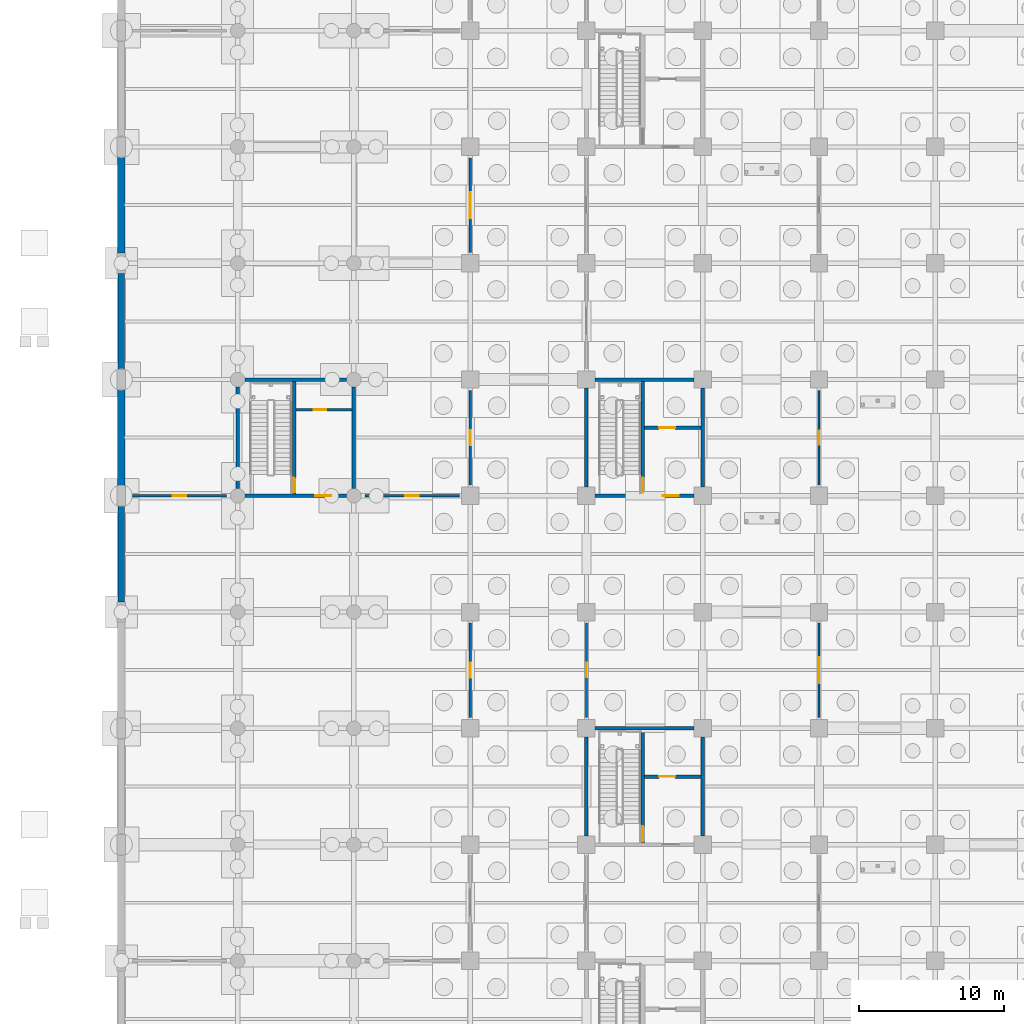
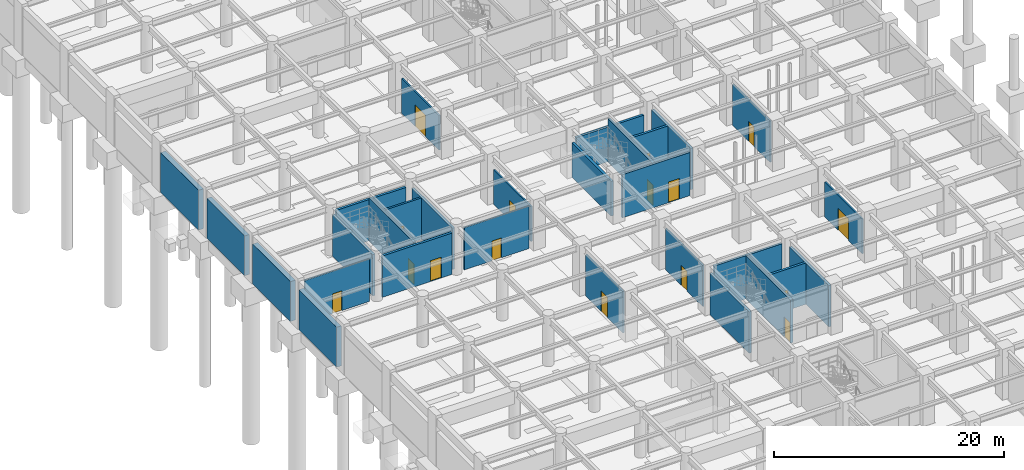
# One storey, part 71 of 97: 29 walls, 16 doors, 16 openings.
"""IFC4 building model written with IfcOpenShell, lengths in metres."""

from ifc_helpers import new_model, si_unit, direction, frame, frame_2d, origin, place, context, subcontext, project, spatial, rectangle, extrude, material, layer, layer_set, type_object, element, fill, save


model = new_model("IFC4")

# Units and contexts
model_context = context("Model", 3, precision=1e-05, world=origin(), true_north=direction((0.0, 1.0)))
body_context = subcontext(model_context, "Body", "Model", "MODEL_VIEW")
ifc_project = project(units=[si_unit("LENGTHUNIT", "METRE"), si_unit("AREAUNIT", "SQUARE_METRE"), si_unit("VOLUMEUNIT", "CUBIC_METRE"), si_unit("PLANEANGLEUNIT", "RADIAN"), si_unit("MASSUNIT", "GRAM", prefix="KILO")], contexts=[model_context])

# Site, building, storey
site_placement = place(None, origin())
site = spatial("IfcSite", under=ifc_project, at=site_placement, CompositionType="ELEMENT")
building_placement = place(site_placement, origin())
building = spatial("IfcBuilding", under=site, at=building_placement, Name="Haebicheon Civic Stadium", CompositionType="ELEMENT")
storey_placement = place(building_placement, frame((0.0, 0.0, -5.39990234375)))
storey = spatial("IfcBuildingStorey", under=building, at=storey_placement, Name="B1", CompositionType="ELEMENT", Elevation=-5.39990234375)

# Walls
ifc_material_1 = material(Name="Concrete C40/50", Category="concrete")
ifc_layer_1 = layer(ifc_material_1, 0.239990234375, Name="Concrete C40/50")
ifc_layer_set_1 = layer_set([ifc_layer_1], Name="Concrete C40/50")
wall_type_1 = type_object("IfcWallType", Name="CW-SHR-240", PredefinedType="SHEAR", material=ifc_layer_set_1)
wall_1_placement = place(storey_placement, frame((32.60009765625, 64.0, 0.0), z_axis=(0.0, 0.0, 1.0), x_axis=(1.0, 0.0, 0.0)))
element("IfcWall", 1, at=wall_1_placement, inside=storey, type_object=wall_type_1, material=ifc_layer_set_1, Name="KC-02 B1 north core shear wall", PredefinedType="SHEAR", context=body_context, shape_type="SweptSolid", body=[
    extrude(rectangle(XDim=6.7998046875, YDim=0.239990234375, at=frame_2d((3.39990234375, 0.0))), origin(), (0.0, 0.0, 1.0), 4.58984375),
])
for number, where, z_axis, x_axis, name in (
    (2, (32.0, 56.60009765625, 0.0), (0.0, 0.0, 1.0), (0.0, 1.0, 0.0), "KC-02 B1 west core shear wall"),
    (3, (40.0, 56.60009765625, 0.0), (0.0, 0.0, 1.0), (0.0, 1.0, 0.0), "KC-02 B1 east core shear wall"),
):
    element("IfcWall", number, at=place(storey_placement, frame(where, z_axis=z_axis, x_axis=x_axis)), inside=storey, type_object=wall_type_1, material=ifc_layer_set_1, Name=name, PredefinedType="SHEAR", context=body_context, shape_type="SweptSolid", body=[
        extrude(rectangle(XDim=6.7998046875, YDim=0.239990234375, at=frame_2d((3.39990234375, 0.0))), origin(), (0.0, 0.0, 1.0), 4.389892578125),
    ])

# Wall, opening, door
wall_2_placement = place(storey_placement, frame((35.8798828125, 56.1201171875, 0.0), z_axis=(0.0, 0.0, 1.0), x_axis=(0.0, 1.0, 0.0)))
wall_2 = element("IfcWall", 4, at=wall_2_placement, inside=storey, type_object=wall_type_1, material=ifc_layer_set_1, Name="KC-02 B1 stair-lobby dividing shear wall", PredefinedType="SHEAR", context=body_context, shape_type="SweptSolid", body=[
    extrude(rectangle(XDim=7.759765625, YDim=0.239990234375, at=frame_2d((3.8798828125, 0.0))), origin(), (0.0, 0.0, 1.0), 4.58984375),
])
opening_1_placement = place(wall_2_placement, frame((0.080078125, 0.0, 0.0)))
opening_1 = element("IfcOpeningElement", 5, at=opening_1_placement, cuts=wall_2, Name="Opening D-B1-KC-02-STR", PredefinedType="OPENING", context=body_context, shape_type="SweptSolid", body=[
    extrude(rectangle(XDim=1.050048828125, YDim=2.14990234375, at=frame_2d((0.52490234375, 1.074951171875))), frame((0.0, 0.1298828125, 0.0), z_axis=(0.0, -1.0, 0.0), x_axis=(1.0, 0.0, 0.0)), (0.0, 0.0, 1.0), 0.260009765625),
])
ifc_material_2 = material(Name="Galvanised painted steel SM355", Category="steel")
door_type_1 = type_object("IfcDoorType", Name="ID-FD-1050", OperationType="NOTDEFINED", PredefinedType="DOOR", material=ifc_material_2)
door_1_placement = place(opening_1_placement, origin())
door_1 = element("IfcDoor", 6, at=door_1_placement, inside=storey, type_object=door_type_1, material=ifc_material_2, Name="B1 ST-02 stairwell escape door", OperationType="SINGLE_SWING_RIGHT", OverallHeight=2.14990234375, OverallWidth=1.050048828125, PredefinedType="DOOR", context=body_context, shape_type="SweptSolid", body=[
    extrude(rectangle(XDim=1.050048828125, YDim=2.14990234375, at=frame_2d((0.52490234375, 1.074951171875))), frame((0.0, 0.02490234375, 0.0), z_axis=(0.0, -1.0, 0.0), x_axis=(1.0, 0.0, 0.0)), (0.0, 0.0, 1.0), 0.050048828125),
])
fill(opening_1, door_1)

wall_3_placement = place(storey_placement, frame((36.0, 60.679931640625, 0.0), z_axis=(0.0, 0.0, 1.0), x_axis=(1.0, 0.0, 0.0)))
wall_3 = element("IfcWall", 7, at=wall_3_placement, inside=storey, type_object=wall_type_1, material=ifc_layer_set_1, Name="KC-02 B1 lift shaft front wall", PredefinedType="SHEAR", context=body_context, shape_type="SweptSolid", body=[
    extrude(rectangle(XDim=3.8798828125, YDim=0.239990234375, at=frame_2d((1.93994140625, 0.0))), origin(), (0.0, 0.0, 1.0), 4.389892578125),
])
opening_2_placement = place(wall_3_placement, frame((1.0, 0.0, 0.0)))
opening_2 = element("IfcOpeningElement", 8, at=opening_2_placement, cuts=wall_3, Name="Opening LD-02-B1", PredefinedType="OPENING", context=body_context, shape_type="SweptSolid", body=[
    extrude(rectangle(XDim=1.10009765625, YDim=2.14990234375, at=frame_2d((0.550048828125, 1.074951171875))), frame((0.0, 0.1298828125, 0.0), z_axis=(0.0, -1.0, 0.0), x_axis=(1.0, 0.0, 0.0)), (0.0, 0.0, 1.0), 0.260009765625),
])
ifc_material_3 = material(Name="Stainless steel 316", Category="steel")
door_type_2 = type_object("IfcDoorType", Name="ID-LD-1100", OperationType="NOTDEFINED", PredefinedType="DOOR", material=ifc_material_3)
door_2_placement = place(opening_2_placement, origin())
door_2 = element("IfcDoor", 9, at=door_2_placement, inside=storey, type_object=door_type_2, material=ifc_material_3, Name="LF-02 lift landing sliding door B1", OperationType="SLIDING_TO_LEFT", OverallHeight=2.14990234375, OverallWidth=1.10009765625, PredefinedType="DOOR", context=body_context, shape_type="SweptSolid", body=[
    extrude(rectangle(XDim=1.10009765625, YDim=2.14990234375, at=frame_2d((0.550048828125, 1.074951171875))), frame((0.0, 0.02490234375, 0.0), z_axis=(0.0, -1.0, 0.0), x_axis=(1.0, 0.0, 0.0)), (0.0, 0.0, 1.0), 0.050048828125),
])
fill(opening_2, door_2)

wall_4_placement = place(storey_placement, frame((32.60009765625, 80.0, 0.0), z_axis=(0.0, 0.0, 1.0), x_axis=(1.0, 0.0, 0.0)))
wall_4 = element("IfcWall", 10, at=wall_4_placement, inside=storey, type_object=wall_type_1, material=ifc_layer_set_1, Name="KC-03 B1 south core shear wall", PredefinedType="SHEAR", context=body_context, shape_type="SweptSolid", body=[
    extrude(rectangle(XDim=6.7998046875, YDim=0.239990234375, at=frame_2d((3.39990234375, 0.0))), origin(), (0.0, 0.0, 1.0), 4.58984375),
])
opening_3_placement = place(wall_4_placement, frame((4.64990234375, 0.0, 0.0)))
opening_3 = element("IfcOpeningElement", 11, at=opening_3_placement, cuts=wall_4, Name="Opening D-B1-KC-03-LOB", PredefinedType="OPENING", context=body_context, shape_type="SweptSolid", body=[
    extrude(rectangle(XDim=1.10009765625, YDim=2.199951171875, at=frame_2d((0.550048828125, 1.10009765625))), frame((0.0, 0.1298828125, 0.0), z_axis=(0.0, -1.0, 0.0), x_axis=(1.0, 0.0, 0.0)), (0.0, 0.0, 1.0), 0.260009765625),
])
ifc_material_4 = material(Name="Galvanised painted steel SM355", Category="steel")
door_type_3 = type_object("IfcDoorType", Name="ID-FD-1100", OperationType="NOTDEFINED", PredefinedType="DOOR", material=ifc_material_4)
door_3_placement = place(opening_3_placement, origin())
door_3 = element("IfcDoor", 12, at=door_3_placement, inside=storey, type_object=door_type_3, material=ifc_material_4, Name="B1 KC-03 lobby fire door", OperationType="SINGLE_SWING_RIGHT", OverallHeight=2.199951171875, OverallWidth=1.10009765625, PredefinedType="DOOR", context=body_context, shape_type="SweptSolid", body=[
    extrude(rectangle(XDim=1.10009765625, YDim=2.199951171875, at=frame_2d((0.550048828125, 1.10009765625))), frame((0.0, 0.02490234375, 0.0), z_axis=(0.0, -1.0, 0.0), x_axis=(1.0, 0.0, 0.0)), (0.0, 0.0, 1.0), 0.050048828125),
])
fill(opening_3, door_3)

# Walls
for number, where, z_axis, x_axis, name in (
    (13, (32.60009765625, 88.0, 0.0), (0.0, 0.0, 1.0), (1.0, 0.0, 0.0), "KC-03 B1 north core shear wall"),
    (14, (32.0, 80.60009765625, 0.0), (0.0, 0.0, 1.0), (0.0, 1.0, 0.0), "KC-03 B1 west core shear wall"),
):
    element("IfcWall", number, at=place(storey_placement, frame(where, z_axis=z_axis, x_axis=x_axis)), inside=storey, type_object=wall_type_1, material=ifc_layer_set_1, Name=name, PredefinedType="SHEAR", context=body_context, shape_type="SweptSolid", body=[
        extrude(rectangle(XDim=6.7998046875, YDim=0.239990234375, at=frame_2d((3.39990234375, 0.0))), origin(), (0.0, 0.0, 1.0), 3.68994140625),
    ])
wall_5_placement = place(storey_placement, frame((40.0, 80.60009765625, 0.0), z_axis=(0.0, 0.0, 1.0), x_axis=(0.0, 1.0, 0.0)))
element("IfcWall", 15, at=wall_5_placement, inside=storey, type_object=wall_type_1, material=ifc_layer_set_1, Name="KC-03 B1 east core shear wall", PredefinedType="SHEAR", context=body_context, shape_type="SweptSolid", body=[
    extrude(rectangle(XDim=6.7998046875, YDim=0.239990234375, at=frame_2d((3.39990234375, 0.0))), origin(), (0.0, 0.0, 1.0), 4.389892578125),
])

# Wall, opening, door
wall_6_placement = place(storey_placement, frame((35.8798828125, 80.1201171875, 0.0), z_axis=(0.0, 0.0, 1.0), x_axis=(0.0, 1.0, 0.0)))
wall_6 = element("IfcWall", 16, at=wall_6_placement, inside=storey, type_object=wall_type_1, material=ifc_layer_set_1, Name="KC-03 B1 stair-lobby dividing shear wall", PredefinedType="SHEAR", context=body_context, shape_type="SweptSolid", body=[
    extrude(rectangle(XDim=7.759765625, YDim=0.239990234375, at=frame_2d((3.8798828125, 0.0))), origin(), (0.0, 0.0, 1.0), 4.58984375),
])
opening_4_placement = place(wall_6_placement, frame((0.080078125, 0.0, 0.0)))
opening_4 = element("IfcOpeningElement", 17, at=opening_4_placement, cuts=wall_6, Name="Opening D-B1-KC-03-STR", PredefinedType="OPENING", context=body_context, shape_type="SweptSolid", body=[
    extrude(rectangle(XDim=1.050048828125, YDim=2.14990234375, at=frame_2d((0.52490234375, 1.074951171875))), frame((0.0, 0.1298828125, 0.0), z_axis=(0.0, -1.0, 0.0), x_axis=(1.0, 0.0, 0.0)), (0.0, 0.0, 1.0), 0.260009765625),
])
door_4_placement = place(opening_4_placement, origin())
door_4 = element("IfcDoor", 18, at=door_4_placement, inside=storey, type_object=door_type_1, material=ifc_material_2, Name="B1 ST-03 stairwell escape door", OperationType="SINGLE_SWING_LEFT", OverallHeight=2.14990234375, OverallWidth=1.050048828125, PredefinedType="DOOR", context=body_context, shape_type="SweptSolid", body=[
    extrude(rectangle(XDim=1.050048828125, YDim=2.14990234375, at=frame_2d((0.52490234375, 1.074951171875))), frame((0.0, 0.02490234375, 0.0), z_axis=(0.0, -1.0, 0.0), x_axis=(1.0, 0.0, 0.0)), (0.0, 0.0, 1.0), 0.050048828125),
])
fill(opening_4, door_4)

wall_7_placement = place(storey_placement, frame((36.0, 84.679931640625, 0.0), z_axis=(0.0, 0.0, 1.0), x_axis=(1.0, 0.0, 0.0)))
wall_7 = element("IfcWall", 19, at=wall_7_placement, inside=storey, type_object=wall_type_1, material=ifc_layer_set_1, Name="KC-03 B1 lift shaft front wall", PredefinedType="SHEAR", context=body_context, shape_type="SweptSolid", body=[
    extrude(rectangle(XDim=3.8798828125, YDim=0.239990234375, at=frame_2d((1.93994140625, 0.0))), origin(), (0.0, 0.0, 1.0), 4.389892578125),
])
opening_5_placement = place(wall_7_placement, frame((1.0, 0.0, 0.0)))
opening_5 = element("IfcOpeningElement", 20, at=opening_5_placement, cuts=wall_7, Name="Opening LD-03-B1", PredefinedType="OPENING", context=body_context, shape_type="SweptSolid", body=[
    extrude(rectangle(XDim=1.10009765625, YDim=2.14990234375, at=frame_2d((0.550048828125, 1.074951171875))), frame((0.0, 0.1298828125, 0.0), z_axis=(0.0, -1.0, 0.0), x_axis=(1.0, 0.0, 0.0)), (0.0, 0.0, 1.0), 0.260009765625),
])
door_5_placement = place(opening_5_placement, origin())
door_5 = element("IfcDoor", 21, at=door_5_placement, inside=storey, type_object=door_type_2, material=ifc_material_3, Name="LF-03 lift landing sliding door B1", OperationType="SLIDING_TO_LEFT", OverallHeight=2.14990234375, OverallWidth=1.10009765625, PredefinedType="DOOR", context=body_context, shape_type="SweptSolid", body=[
    extrude(rectangle(XDim=1.10009765625, YDim=2.14990234375, at=frame_2d((0.550048828125, 1.074951171875))), frame((0.0, 0.02490234375, 0.0), z_axis=(0.0, -1.0, 0.0), x_axis=(1.0, 0.0, 0.0)), (0.0, 0.0, 1.0), 0.050048828125),
])
fill(opening_5, door_5)

wall_8_placement = place(storey_placement, frame((8.5, 80.0, 0.0), z_axis=(0.0, 0.0, 1.0), x_axis=(1.0, 0.0, 0.0)))
wall_8 = element("IfcWall", 22, at=wall_8_placement, inside=storey, type_object=wall_type_1, material=ifc_layer_set_1, Name="KC-15 B1 south core shear wall", PredefinedType="SHEAR", context=body_context, shape_type="SweptSolid", body=[
    extrude(rectangle(XDim=7.0, YDim=0.239990234375, at=frame_2d((3.5, 0.0))), origin(), (0.0, 0.0, 1.0), 4.389892578125),
])
opening_6_placement = place(wall_8_placement, frame((4.85009765625, 0.0, 0.0)))
opening_6 = element("IfcOpeningElement", 23, at=opening_6_placement, cuts=wall_8, Name="Opening D-B1-KC-15-LOB", PredefinedType="OPENING", context=body_context, shape_type="SweptSolid", body=[
    extrude(rectangle(XDim=1.10009765625, YDim=2.199951171875, at=frame_2d((0.550048828125, 1.10009765625))), frame((0.0, 0.1298828125, 0.0), z_axis=(0.0, -1.0, 0.0), x_axis=(1.0, 0.0, 0.0)), (0.0, 0.0, 1.0), 0.260009765625),
])
door_6_placement = place(opening_6_placement, origin())
door_6 = element("IfcDoor", 24, at=door_6_placement, inside=storey, type_object=door_type_3, material=ifc_material_4, Name="B1 KC-15 lobby fire door", OperationType="SINGLE_SWING_RIGHT", OverallHeight=2.199951171875, OverallWidth=1.10009765625, PredefinedType="DOOR", context=body_context, shape_type="SweptSolid", body=[
    extrude(rectangle(XDim=1.10009765625, YDim=2.199951171875, at=frame_2d((0.550048828125, 1.10009765625))), frame((0.0, 0.02490234375, 0.0), z_axis=(0.0, -1.0, 0.0), x_axis=(1.0, 0.0, 0.0)), (0.0, 0.0, 1.0), 0.050048828125),
])
fill(opening_6, door_6)

# Walls
for number, where, z_axis, x_axis, name in (
    (25, (8.5, 88.0, 0.0), (0.0, 0.0, 1.0), (1.0, 0.0, 0.0), "KC-15 B1 north core shear wall"),
    (26, (8.0, 80.5, 0.0), (0.0, 0.0, 1.0), (0.0, 1.0, 0.0), "KC-15 B1 west core shear wall"),
    (27, (16.0, 80.5, 0.0), (0.0, 0.0, 1.0), (0.0, 1.0, 0.0), "KC-15 B1 east core shear wall"),
):
    element("IfcWall", number, at=place(storey_placement, frame(where, z_axis=z_axis, x_axis=x_axis)), inside=storey, type_object=wall_type_1, material=ifc_layer_set_1, Name=name, PredefinedType="SHEAR", context=body_context, shape_type="SweptSolid", body=[
        extrude(rectangle(XDim=7.0, YDim=0.239990234375, at=frame_2d((3.5, 0.0))), origin(), (0.0, 0.0, 1.0), 4.389892578125),
    ])

# Wall, opening, door
wall_9_placement = place(storey_placement, frame((11.8798828125, 80.1201171875, 0.0), z_axis=(0.0, 0.0, 1.0), x_axis=(0.0, 1.0, 0.0)))
wall_9 = element("IfcWall", 28, at=wall_9_placement, inside=storey, type_object=wall_type_1, material=ifc_layer_set_1, Name="KC-15 B1 stair-lobby dividing shear wall", PredefinedType="SHEAR", context=body_context, shape_type="SweptSolid", body=[
    extrude(rectangle(XDim=7.759765625, YDim=0.239990234375, at=frame_2d((3.8798828125, 0.0))), origin(), (0.0, 0.0, 1.0), 4.58984375),
])
opening_7_placement = place(wall_9_placement, frame((0.080078125, 0.0, 0.0)))
opening_7 = element("IfcOpeningElement", 29, at=opening_7_placement, cuts=wall_9, Name="Opening D-B1-KC-15-STR", PredefinedType="OPENING", context=body_context, shape_type="SweptSolid", body=[
    extrude(rectangle(XDim=1.050048828125, YDim=2.14990234375, at=frame_2d((0.52490234375, 1.074951171875))), frame((0.0, 0.1298828125, 0.0), z_axis=(0.0, -1.0, 0.0), x_axis=(1.0, 0.0, 0.0)), (0.0, 0.0, 1.0), 0.260009765625),
])
door_7_placement = place(opening_7_placement, origin())
door_7 = element("IfcDoor", 30, at=door_7_placement, inside=storey, type_object=door_type_1, material=ifc_material_2, Name="B1 ST-15 stairwell escape door", OperationType="SINGLE_SWING_LEFT", OverallHeight=2.14990234375, OverallWidth=1.050048828125, PredefinedType="DOOR", context=body_context, shape_type="SweptSolid", body=[
    extrude(rectangle(XDim=1.050048828125, YDim=2.14990234375, at=frame_2d((0.52490234375, 1.074951171875))), frame((0.0, 0.02490234375, 0.0), z_axis=(0.0, -1.0, 0.0), x_axis=(1.0, 0.0, 0.0)), (0.0, 0.0, 1.0), 0.050048828125),
])
fill(opening_7, door_7)

# Walls
ifc_material_5 = material(Name="Concrete C40/50", Category="concrete")
ifc_layer_2 = layer(ifc_material_5, 0.4599609375, Name="Concrete C40/50")
ifc_layer_set_2 = layer_set([ifc_layer_2], Name="Concrete C40/50")
wall_type_2 = type_object("IfcWallType", Name="EW-RET-460", PredefinedType="STANDARD", material=ifc_layer_set_2)
for number, where, z_axis, x_axis, name in (
    (31, (0.0, 72.699951171875, 0.0), (0.0, 0.0, 1.0), (0.0, 1.0, 0.0), "B1 retaining wall 00-09-W"),
    (32, (0.0, 88.699951171875, 0.0), (0.0, 0.0, 1.0), (0.0, 1.0, 0.0), "B1 retaining wall 00-11-W"),
):
    element("IfcWall", number, at=place(storey_placement, frame(where, z_axis=z_axis, x_axis=x_axis)), inside=storey, type_object=wall_type_2, material=ifc_layer_set_2, Name=name, PredefinedType="STANDARD", context=body_context, shape_type="SweptSolid", body=[
        extrude(rectangle(XDim=6.60009765625, YDim=0.4599609375, at=frame_2d((3.300048828125, 0.0))), origin(), (0.0, 0.0, 1.0), 4.239990234375),
    ])
ifc_material_6 = material(Name="Concrete C40/50", Category="concrete")
ifc_layer_3 = layer(ifc_material_6, 0.5, Name="Concrete C40/50")
ifc_layer_set_3 = layer_set([ifc_layer_3], Name="Concrete C40/50")
wall_type_3 = type_object("IfcWallType", Name="EW-RET-500", PredefinedType="STANDARD", material=ifc_layer_set_3)
for number, where, z_axis, x_axis, name in (
    (33, (0.0, 80.699951171875, 0.0), (0.0, 0.0, 1.0), (0.0, 1.0, 0.0), "B1 retaining wall 00-10-W"),
    (34, (0.0, 96.699951171875, 0.0), (0.0, 0.0, 1.0), (0.0, 1.0, 0.0), "B1 retaining wall 00-12-W"),
):
    element("IfcWall", number, at=place(storey_placement, frame(where, z_axis=z_axis, x_axis=x_axis)), inside=storey, type_object=wall_type_3, material=ifc_layer_set_3, Name=name, PredefinedType="STANDARD", context=body_context, shape_type="SweptSolid", body=[
        extrude(rectangle(XDim=6.60009765625, YDim=0.5, at=frame_2d((3.300048828125, 0.0))), origin(), (0.0, 0.0, 1.0), 4.239990234375),
    ])

# Wall, opening, door
ifc_material_7 = material(Name="Concrete C35/45", Category="concrete")
ifc_layer_4 = layer(ifc_material_7, 0.199951171875, Name="Concrete C35/45")
ifc_layer_set_4 = layer_set([ifc_layer_4], Name="Concrete C35/45")
wall_type_4 = type_object("IfcWallType", Name="IW-FIR-200", PredefinedType="PARTITIONING", material=ifc_layer_set_4)
wall_10_placement = place(storey_placement, frame((12.0, 85.919921875, 0.0), z_axis=(0.0, 0.0, 1.0), x_axis=(1.0, 0.0, 0.0)))
wall_10 = element("IfcWall", 35, at=wall_10_placement, inside=storey, type_object=wall_type_4, material=ifc_layer_set_4, Name="KC-15 B1 service riser wall", PredefinedType="PARTITIONING", context=body_context, shape_type="SweptSolid", body=[
    extrude(rectangle(XDim=3.8798828125, YDim=0.199951171875, at=frame_2d((1.93994140625, 0.0))), origin(), (0.0, 0.0, 1.0), 4.389892578125),
])
opening_8_placement = place(wall_10_placement, frame((1.25, 0.0, 0.0)))
opening_8 = element("IfcOpeningElement", 36, at=opening_8_placement, cuts=wall_10, Name="Opening D-B1-KC-15-RSR", PredefinedType="OPENING", context=body_context, shape_type="SweptSolid", body=[
    extrude(rectangle(XDim=0.85009765625, YDim=2.050048828125, at=frame_2d((0.425048828125, 1.02490234375))), frame((0.0, 0.10986328125, 0.0), z_axis=(0.0, -1.0, 0.0), x_axis=(1.0, 0.0, 0.0)), (0.0, 0.0, 1.0), 0.219970703125),
])
ifc_material_8 = material(Name="Galvanised painted steel SM355", Category="steel")
door_type_4 = type_object("IfcDoorType", Name="ID-RSR-0850", OperationType="NOTDEFINED", PredefinedType="TRAPDOOR", material=ifc_material_8)
door_8_placement = place(opening_8_placement, origin())
door_8 = element("IfcDoor", 37, at=door_8_placement, inside=storey, type_object=door_type_4, material=ifc_material_8, Name="B1 KC-15 riser access door", OperationType="SINGLE_SWING_RIGHT", OverallHeight=2.050048828125, OverallWidth=0.85009765625, PredefinedType="TRAPDOOR", context=body_context, shape_type="SweptSolid", body=[
    extrude(rectangle(XDim=0.85009765625, YDim=2.050048828125, at=frame_2d((0.425048828125, 1.02490234375))), frame((0.0, 0.02490234375, 0.0), z_axis=(0.0, -1.0, 0.0), x_axis=(1.0, 0.0, 0.0)), (0.0, 0.0, 1.0), 0.050048828125),
])
fill(opening_8, door_8)

ifc_material_9 = material(Name="Anodised aluminium acoustic panel", Category="aluminium")
ifc_layer_5 = layer(ifc_material_9, 0.139892578125, Name="Anodised aluminium acoustic panel")
ifc_layer_set_5 = layer_set([ifc_layer_5], Name="Anodised aluminium acoustic panel")
wall_type_5 = type_object("IfcWallType", Name="IW-MOV-140", PredefinedType="MOVABLE", material=ifc_layer_set_5)
wall_11_placement = place(storey_placement, frame((32.0, 64.75, 0.0), z_axis=(0.0, 0.0, 1.0), x_axis=(0.0, 1.0, 0.0)))
wall_11 = element("IfcWall", 38, at=wall_11_placement, inside=storey, type_object=wall_type_5, material=ifc_layer_set_5, Name="B1 Visiting Team Changing Room partition wall", PredefinedType="MOVABLE", context=body_context, shape_type="SweptSolid", body=[
    extrude(rectangle(XDim=6.5, YDim=0.139892578125, at=frame_2d((3.25, 0.0))), origin(), (0.0, 0.0, 1.0), 4.389892578125),
])
opening_9_placement = place(wall_11_placement, frame((2.75, 0.0, 0.0)))
opening_9 = element("IfcOpeningElement", 39, at=opening_9_placement, cuts=wall_11, Name="Opening D-B1-014", PredefinedType="OPENING", context=body_context, shape_type="SweptSolid", body=[
    extrude(rectangle(XDim=1.0, YDim=2.10009765625, at=frame_2d((0.5, 1.050048828125))), frame((0.0, 0.079833984375, 0.0), z_axis=(0.0, -1.0, 0.0), x_axis=(1.0, 0.0, 0.0)), (0.0, 0.0, 1.0), 0.159912109375),
])
ifc_material_10 = material(Name="Engineered hardwood timber", Category="wood")
door_type_5 = type_object("IfcDoorType", Name="ID-RM-1000", OperationType="NOTDEFINED", PredefinedType="DOOR", material=ifc_material_10)
door_9_placement = place(opening_9_placement, origin())
door_9 = element("IfcDoor", 40, at=door_9_placement, inside=storey, type_object=door_type_5, material=ifc_material_10, Name="B1 Visiting Team Changing Room entrance door D-B1-014", OperationType="SINGLE_SWING_RIGHT", OverallHeight=2.10009765625, OverallWidth=1.0, PredefinedType="DOOR", context=body_context, shape_type="SweptSolid", body=[
    extrude(rectangle(XDim=1.0, YDim=2.10009765625, at=frame_2d((0.5, 1.050048828125))), frame((0.0, 0.02490234375, 0.0), z_axis=(0.0, -1.0, 0.0), x_axis=(1.0, 0.0, 0.0)), (0.0, 0.0, 1.0), 0.050048828125),
])
fill(opening_9, door_9)

wall_12_placement = place(storey_placement, frame((48.0, 80.75, 0.0), z_axis=(0.0, 0.0, 1.0), x_axis=(0.0, 1.0, 0.0)))
wall_12 = element("IfcWall", 41, at=wall_12_placement, inside=storey, type_object=wall_type_5, material=ifc_layer_set_5, Name="B1 Home Team Changing Room partition wall", PredefinedType="MOVABLE", context=body_context, shape_type="SweptSolid", body=[
    extrude(rectangle(XDim=6.5, YDim=0.139892578125, at=frame_2d((3.25, 0.0))), origin(), (0.0, 0.0, 1.0), 4.389892578125),
])
opening_10_placement = place(wall_12_placement, frame((2.77490234375, 0.0, 0.0)))
opening_10 = element("IfcOpeningElement", 42, at=opening_10_placement, cuts=wall_12, Name="Opening D-B1-025", PredefinedType="OPENING", context=body_context, shape_type="SweptSolid", body=[
    extrude(rectangle(XDim=0.949951171875, YDim=2.10009765625, at=frame_2d((0.47509765625, 1.050048828125))), frame((0.0, 0.079833984375, 0.0), z_axis=(0.0, -1.0, 0.0), x_axis=(1.0, 0.0, 0.0)), (0.0, 0.0, 1.0), 0.159912109375),
])
ifc_material_11 = material(Name="Engineered hardwood timber", Category="wood")
door_type_6 = type_object("IfcDoorType", Name="ID-RM-0950", OperationType="NOTDEFINED", PredefinedType="DOOR", material=ifc_material_11)
door_10_placement = place(opening_10_placement, origin())
door_10 = element("IfcDoor", 43, at=door_10_placement, inside=storey, type_object=door_type_6, material=ifc_material_11, Name="B1 Home Team Changing Room entrance door D-B1-025", OperationType="SINGLE_SWING_LEFT", OverallHeight=2.10009765625, OverallWidth=0.949951171875, PredefinedType="DOOR", context=body_context, shape_type="SweptSolid", body=[
    extrude(rectangle(XDim=0.949951171875, YDim=2.10009765625, at=frame_2d((0.47509765625, 1.050048828125))), frame((0.0, 0.02490234375, 0.0), z_axis=(0.0, -1.0, 0.0), x_axis=(1.0, 0.0, 0.0)), (0.0, 0.0, 1.0), 0.050048828125),
])
fill(opening_10, door_10)

ifc_material_12 = material(Name="Gypsum plasterboard on steel studs", Category="gypsum")
ifc_layer_6 = layer(ifc_material_12, 0.14990234375, Name="Gypsum plasterboard on steel studs")
ifc_layer_set_6 = layer_set([ifc_layer_6], Name="Gypsum plasterboard on steel studs")
wall_type_6 = type_object("IfcWallType", Name="IW-PRT-150", PredefinedType="PARTITIONING", material=ifc_layer_set_6)
wall_13_placement = place(storey_placement, frame((24.0, 64.75, 0.0), z_axis=(0.0, 0.0, 1.0), x_axis=(0.0, 1.0, 0.0)))
wall_13 = element("IfcWall", 44, at=wall_13_placement, inside=storey, type_object=wall_type_6, material=ifc_layer_set_6, Name="B1 Match Officials Locker Suite partition wall", PredefinedType="PARTITIONING", context=body_context, shape_type="SweptSolid", body=[
    extrude(rectangle(XDim=6.5, YDim=0.14990234375, at=frame_2d((3.25, 0.0))), origin(), (0.0, 0.0, 1.0), 4.389892578125),
])
opening_11_placement = place(wall_13_placement, frame((2.72509765625, 0.0, 0.0)))
opening_11 = element("IfcOpeningElement", 45, at=opening_11_placement, cuts=wall_13, Name="Opening D-B1-004", PredefinedType="OPENING", context=body_context, shape_type="SweptSolid", body=[
    extrude(rectangle(XDim=1.050048828125, YDim=2.14990234375, at=frame_2d((0.52490234375, 1.074951171875))), frame((0.0, 0.0849609375, 0.0), z_axis=(0.0, -1.0, 0.0), x_axis=(1.0, 0.0, 0.0)), (0.0, 0.0, 1.0), 0.169921875),
])
ifc_material_13 = material(Name="Engineered hardwood timber", Category="wood")
door_type_7 = type_object("IfcDoorType", Name="ID-RM-1050", OperationType="NOTDEFINED", PredefinedType="DOOR", material=ifc_material_13)
door_11_placement = place(opening_11_placement, origin())
door_11 = element("IfcDoor", 46, at=door_11_placement, inside=storey, type_object=door_type_7, material=ifc_material_13, Name="B1 Match Officials Locker Suite entrance door D-B1-004", OperationType="SINGLE_SWING_LEFT", OverallHeight=2.14990234375, OverallWidth=1.050048828125, PredefinedType="DOOR", context=body_context, shape_type="SweptSolid", body=[
    extrude(rectangle(XDim=1.050048828125, YDim=2.14990234375, at=frame_2d((0.52490234375, 1.074951171875))), frame((0.0, 0.02490234375, 0.0), z_axis=(0.0, -1.0, 0.0), x_axis=(1.0, 0.0, 0.0)), (0.0, 0.0, 1.0), 0.050048828125),
])
fill(opening_11, door_11)

wall_14_placement = place(storey_placement, frame((24.0, 80.75, 0.0), z_axis=(0.0, 0.0, 1.0), x_axis=(0.0, 1.0, 0.0)))
wall_14 = element("IfcWall", 47, at=wall_14_placement, inside=storey, type_object=wall_type_6, material=ifc_layer_set_6, Name="B1 Doping Control and Medical Examination Suite partition wall", PredefinedType="PARTITIONING", context=body_context, shape_type="SweptSolid", body=[
    extrude(rectangle(XDim=6.5, YDim=0.14990234375, at=frame_2d((3.25, 0.0))), origin(), (0.0, 0.0, 1.0), 3.68994140625),
])
opening_12_placement = place(wall_14_placement, frame((2.72509765625, 0.0, 0.0)))
opening_12 = element("IfcOpeningElement", 48, at=opening_12_placement, cuts=wall_14, Name="Opening D-B1-005", PredefinedType="OPENING", context=body_context, shape_type="SweptSolid", body=[
    extrude(rectangle(XDim=1.050048828125, YDim=2.14990234375, at=frame_2d((0.52490234375, 1.074951171875))), frame((0.0, 0.0849609375, 0.0), z_axis=(0.0, -1.0, 0.0), x_axis=(1.0, 0.0, 0.0)), (0.0, 0.0, 1.0), 0.169921875),
])
door_12_placement = place(opening_12_placement, origin())
door_12 = element("IfcDoor", 49, at=door_12_placement, inside=storey, type_object=door_type_7, material=ifc_material_13, Name="B1 Doping Control and Medical Examination Suite entrance door D-B1-005", OperationType="SINGLE_SWING_RIGHT", OverallHeight=2.14990234375, OverallWidth=1.050048828125, PredefinedType="DOOR", context=body_context, shape_type="SweptSolid", body=[
    extrude(rectangle(XDim=1.050048828125, YDim=2.14990234375, at=frame_2d((0.52490234375, 1.074951171875))), frame((0.0, 0.02490234375, 0.0), z_axis=(0.0, -1.0, 0.0), x_axis=(1.0, 0.0, 0.0)), (0.0, 0.0, 1.0), 0.050048828125),
])
fill(opening_12, door_12)

wall_15_placement = place(storey_placement, frame((24.0, 96.75, 0.0), z_axis=(0.0, 0.0, 1.0), x_axis=(0.0, 1.0, 0.0)))
wall_15 = element("IfcWall", 50, at=wall_15_placement, inside=storey, type_object=wall_type_6, material=ifc_layer_set_6, Name="B1 Post-Match Press Conference Hall partition wall", PredefinedType="PARTITIONING", context=body_context, shape_type="SweptSolid", body=[
    extrude(rectangle(XDim=6.5, YDim=0.14990234375, at=frame_2d((3.25, 0.0))), origin(), (0.0, 0.0, 1.0), 3.68994140625),
])
opening_13_placement = place(wall_15_placement, frame((2.35009765625, 0.0, 0.0)))
opening_13 = element("IfcOpeningElement", 51, at=opening_13_placement, cuts=wall_15, Name="Opening D-B1-006", PredefinedType="OPENING", context=body_context, shape_type="SweptSolid", body=[
    extrude(rectangle(XDim=1.800048828125, YDim=2.300048828125, at=frame_2d((0.89990234375, 1.14990234375))), frame((0.0, 0.0849609375, 0.0), z_axis=(0.0, -1.0, 0.0), x_axis=(1.0, 0.0, 0.0)), (0.0, 0.0, 1.0), 0.169921875),
])
ifc_material_14 = material(Name="Galvanised painted steel SM355", Category="steel")
door_type_8 = type_object("IfcDoorType", Name="ID-DBL-1800", OperationType="NOTDEFINED", PredefinedType="DOOR", material=ifc_material_14)
door_13_placement = place(opening_13_placement, origin())
door_13 = element("IfcDoor", 52, at=door_13_placement, inside=storey, type_object=door_type_8, material=ifc_material_14, Name="B1 Post-Match Press Conference Hall entrance door D-B1-006", OperationType="DOUBLE_SWING_LEFT", OverallHeight=2.300048828125, OverallWidth=1.800048828125, PredefinedType="DOOR", context=body_context, shape_type="SweptSolid", body=[
    extrude(rectangle(XDim=1.800048828125, YDim=2.300048828125, at=frame_2d((0.89990234375, 1.14990234375))), frame((0.0, 0.02490234375, 0.0), z_axis=(0.0, -1.0, 0.0), x_axis=(1.0, 0.0, 0.0)), (0.0, 0.0, 1.0), 0.050048828125),
])
fill(opening_13, door_13)

wall_16_placement = place(storey_placement, frame((48.0, 64.75, 0.0), z_axis=(0.0, 0.0, 1.0), x_axis=(0.0, 1.0, 0.0)))
wall_16 = element("IfcWall", 53, at=wall_16_placement, inside=storey, type_object=wall_type_6, material=ifc_layer_set_6, Name="B1 Post-Match Press Conference Hall partition wall", PredefinedType="PARTITIONING", context=body_context, shape_type="SweptSolid", body=[
    extrude(rectangle(XDim=6.5, YDim=0.14990234375, at=frame_2d((3.25, 0.0))), origin(), (0.0, 0.0, 1.0), 3.68994140625),
])
opening_14_placement = place(wall_16_placement, frame((2.35009765625, 0.0, 0.0)))
opening_14 = element("IfcOpeningElement", 54, at=opening_14_placement, cuts=wall_16, Name="Opening D-B1-024", PredefinedType="OPENING", context=body_context, shape_type="SweptSolid", body=[
    extrude(rectangle(XDim=1.800048828125, YDim=2.300048828125, at=frame_2d((0.89990234375, 1.14990234375))), frame((0.0, 0.0849609375, 0.0), z_axis=(0.0, -1.0, 0.0), x_axis=(1.0, 0.0, 0.0)), (0.0, 0.0, 1.0), 0.169921875),
])
door_14_placement = place(opening_14_placement, origin())
door_14 = element("IfcDoor", 55, at=door_14_placement, inside=storey, type_object=door_type_8, material=ifc_material_14, Name="B1 Post-Match Press Conference Hall entrance door D-B1-024", OperationType="DOUBLE_SWING_LEFT", OverallHeight=2.300048828125, OverallWidth=1.800048828125, PredefinedType="DOOR", context=body_context, shape_type="SweptSolid", body=[
    extrude(rectangle(XDim=1.800048828125, YDim=2.300048828125, at=frame_2d((0.89990234375, 1.14990234375))), frame((0.0, 0.02490234375, 0.0), z_axis=(0.0, -1.0, 0.0), x_axis=(1.0, 0.0, 0.0)), (0.0, 0.0, 1.0), 0.050048828125),
])
fill(opening_14, door_14)

ifc_material_15 = material(Name="Concrete C35/45", Category="concrete")
ifc_layer_7 = layer(ifc_material_15, 0.159912109375, Name="Concrete C35/45")
ifc_layer_set_7 = layer_set([ifc_layer_7], Name="Concrete C35/45")
wall_type_7 = type_object("IfcWallType", Name="IW-PRT-160", PredefinedType="PARTITIONING", material=ifc_layer_set_7)
wall_17_placement = place(storey_placement, frame((0.75, 80.0, 0.0), z_axis=(0.0, 0.0, 1.0), x_axis=(1.0, 0.0, 0.0)))
wall_17 = element("IfcWall", 56, at=wall_17_placement, inside=storey, type_object=wall_type_7, material=ifc_layer_set_7, Name="B1 Bicycle Parking and Locker Store partition wall", PredefinedType="PARTITIONING", context=body_context, shape_type="SweptSolid", body=[
    extrude(rectangle(XDim=6.5, YDim=0.159912109375, at=frame_2d((3.25, 0.0))), origin(), (0.0, 0.0, 1.0), 4.489990234375),
])
opening_15_placement = place(wall_17_placement, frame((2.77490234375, 0.0, 0.0)))
opening_15 = element("IfcOpeningElement", 57, at=opening_15_placement, cuts=wall_17, Name="Opening D-B1-097", PredefinedType="OPENING", context=body_context, shape_type="SweptSolid", body=[
    extrude(rectangle(XDim=0.949951171875, YDim=2.10009765625, at=frame_2d((0.47509765625, 1.050048828125))), frame((0.0, 0.08984375, 0.0), z_axis=(0.0, -1.0, 0.0), x_axis=(1.0, 0.0, 0.0)), (0.0, 0.0, 1.0), 0.179931640625),
])
door_15_placement = place(opening_15_placement, origin())
door_15 = element("IfcDoor", 58, at=door_15_placement, inside=storey, type_object=door_type_6, material=ifc_material_11, Name="B1 Bicycle Parking and Locker Store entrance door D-B1-097", OperationType="SINGLE_SWING_LEFT", OverallHeight=2.10009765625, OverallWidth=0.949951171875, PredefinedType="DOOR", context=body_context, shape_type="SweptSolid", body=[
    extrude(rectangle(XDim=0.949951171875, YDim=2.10009765625, at=frame_2d((0.47509765625, 1.050048828125))), frame((0.0, 0.02490234375, 0.0), z_axis=(0.0, -1.0, 0.0), x_axis=(1.0, 0.0, 0.0)), (0.0, 0.0, 1.0), 0.050048828125),
])
fill(opening_15, door_15)

wall_18_placement = place(storey_placement, frame((16.75, 80.0, 0.0), z_axis=(0.0, 0.0, 1.0), x_axis=(1.0, 0.0, 0.0)))
wall_18 = element("IfcWall", 59, at=wall_18_placement, inside=storey, type_object=wall_type_7, material=ifc_layer_set_7, Name="B1 Bicycle Parking and Locker Store partition wall", PredefinedType="PARTITIONING", context=body_context, shape_type="SweptSolid", body=[
    extrude(rectangle(XDim=6.5, YDim=0.159912109375, at=frame_2d((3.25, 0.0))), origin(), (0.0, 0.0, 1.0), 4.489990234375),
])
opening_16_placement = place(wall_18_placement, frame((2.77490234375, 0.0, 0.0)))
opening_16 = element("IfcOpeningElement", 60, at=opening_16_placement, cuts=wall_18, Name="Opening D-B1-101", PredefinedType="OPENING", context=body_context, shape_type="SweptSolid", body=[
    extrude(rectangle(XDim=0.949951171875, YDim=2.10009765625, at=frame_2d((0.47509765625, 1.050048828125))), frame((0.0, 0.08984375, 0.0), z_axis=(0.0, -1.0, 0.0), x_axis=(1.0, 0.0, 0.0)), (0.0, 0.0, 1.0), 0.179931640625),
])
door_16_placement = place(opening_16_placement, origin())
door_16 = element("IfcDoor", 61, at=door_16_placement, inside=storey, type_object=door_type_6, material=ifc_material_11, Name="B1 Bicycle Parking and Locker Store entrance door D-B1-101", OperationType="SINGLE_SWING_LEFT", OverallHeight=2.10009765625, OverallWidth=0.949951171875, PredefinedType="DOOR", context=body_context, shape_type="SweptSolid", body=[
    extrude(rectangle(XDim=0.949951171875, YDim=2.10009765625, at=frame_2d((0.47509765625, 1.050048828125))), frame((0.0, 0.02490234375, 0.0), z_axis=(0.0, -1.0, 0.0), x_axis=(1.0, 0.0, 0.0)), (0.0, 0.0, 1.0), 0.050048828125),
])
fill(opening_16, door_16)

save(model, "model.ifc")
